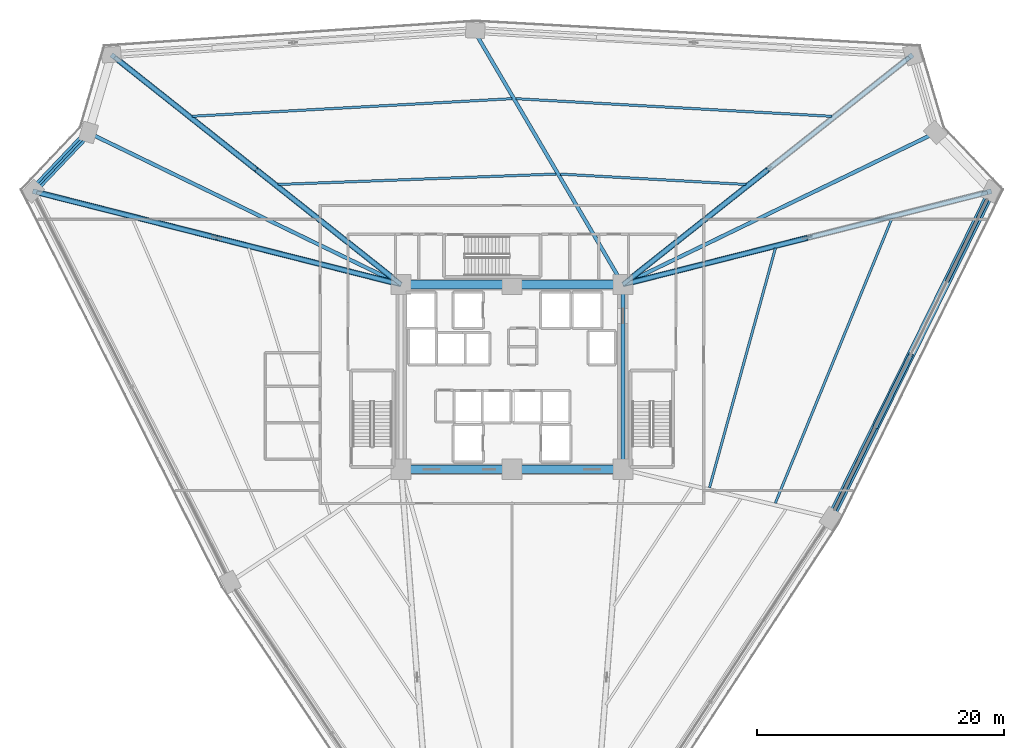
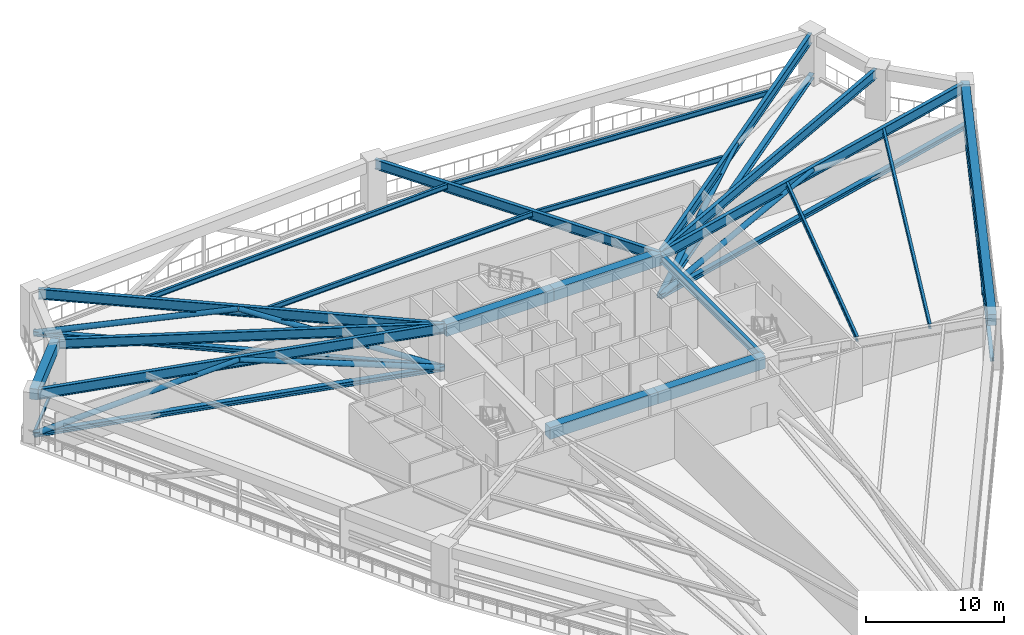
# One storey, part 7 of 25: 20 beams, 13 members.
"""IFC4 building model written with IfcOpenShell, lengths in metres."""

from ifc_helpers import new_model, si_unit, direction, frame, origin, origin_2d, place, context, subcontext, project, spatial, rectangle, hollow_rectangle, hollow_circle, i_section, extrude, source, transform, mapped, material, material_profile, profile_set, type_object, element, save


model = new_model("IFC4")

# Units and contexts
model_context = context("Model", 3, precision=1e-05, world=origin(), true_north=direction((0.0, 1.0)))
body_context = subcontext(model_context, "Body", "Model", "MODEL_VIEW")
ifc_project = project(units=[si_unit("LENGTHUNIT", "METRE"), si_unit("AREAUNIT", "SQUARE_METRE"), si_unit("VOLUMEUNIT", "CUBIC_METRE"), si_unit("PLANEANGLEUNIT", "RADIAN"), si_unit("MASSUNIT", "GRAM", prefix="KILO")], contexts=[model_context])

# Site, building, storey
site_placement = place(None, origin())
site = spatial("IfcSite", under=ifc_project, at=site_placement, CompositionType="ELEMENT")
building_placement = place(site_placement, origin())
building = spatial("IfcBuilding", under=site, at=building_placement, Name="Liaohun Quay Tower", CompositionType="ELEMENT")
storey_placement = place(building_placement, frame((0.0, 0.0, 47.25)))
storey = spatial("IfcBuildingStorey", under=building, at=storey_placement, Name="L12", CompositionType="ELEMENT", Elevation=47.25)

# Beams
ifc_material_1 = material(Name="Concrete C60", Category="concrete")
ifc_material_profile_1 = material_profile(ifc_material_1, rectangle(XDim=0.699951171875, YDim=1.050048828125, at=origin_2d()), Name="RC700x1050")
ifc_profile_set_1 = profile_set([ifc_material_profile_1], Name="Concrete C60")
beam_type_1 = type_object("IfcBeamType", Name="BM-CPL-1", PredefinedType="LINTEL", material=ifc_profile_set_1)
shared_shape_1 = source(origin(), body_context, "Body", "SweptSolid", [
    extrude(rectangle(XDim=0.699951171875, YDim=1.050048828125, at=origin_2d()), origin(), (0.0, 0.0, 1.0), 9.0),
])
for number, where, z_axis, x_axis, name in (
    (1, (51.0, 46.5, 3.794921875), (1.0, 0.0, 0.0), (0.0, 1.0, 0.0), "L12 Core Coupling/Ring Beam CC1-CC2"),
    (2, (60.0, 46.5, 3.794921875), (1.0, 0.0, 0.0), (0.0, 1.0, 0.0), "L12 Core Coupling/Ring Beam CC2-CC3"),
    (3, (69.0, 61.5, 3.794921875), (-1.0, 0.0, 0.0), (0.0, -1.0, 0.0), "L12 Core Coupling/Ring Beam CC4-CC5"),
    (4, (60.0, 61.5, 3.794921875), (-1.0, 0.0, 0.0), (0.0, -1.0, 0.0), "L12 Core Coupling/Ring Beam CC5-CC6"),
):
    element("IfcBeam", number, at=place(storey_placement, frame(where, z_axis=z_axis, x_axis=x_axis)), inside=storey, type_object=beam_type_1, Name=name, PredefinedType="LINTEL", context=body_context, shape_type="MappedRepresentation", body=[
        mapped(shared_shape_1, transform((0.0, 0.0, 0.0), x_axis=(1.0, 0.0, 0.0), y_axis=(0.0, 1.0, 0.0), z_axis=(0.0, 0.0, 1.0), scale=1.0)),
    ])
ifc_material_2 = material(Name="Steel Q355D", Category="steel")
ifc_material_profile_2 = material_profile(ifc_material_2, i_section(OverallWidth=0.300048828125, OverallDepth=0.800048828125, WebThickness=0.013916015625, FlangeThickness=0.02587890625, at=origin_2d()), Name="HN800x300x14x26")
ifc_profile_set_2 = profile_set([ifc_material_profile_2], Name="Steel Q355D")
beam_type_2 = type_object("IfcBeamType", Name="BM-RAD-M1", PredefinedType="BEAM", material=ifc_profile_set_2)
shared_shape_2 = source(origin(), body_context, "Body", "SweptSolid", [
    extrude(i_section(OverallWidth=0.300048828125, OverallDepth=0.800048828125, WebThickness=0.013916015625, FlangeThickness=0.02587890625, at=origin_2d()), origin(), (0.0, 0.0, 1.0), 15.0),
])
beam_1_placement = place(storey_placement, frame((69.0, 46.5, 3.919921875), z_axis=(0.0, 1.0, 0.0), x_axis=(-1.0, 0.0, 0.0)))
element("IfcBeam", 5, at=beam_1_placement, inside=storey, type_object=beam_type_2, Name="L12 Core Coupling/Ring Beam CC3-CC4", PredefinedType="BEAM", context=body_context, shape_type="MappedRepresentation", body=[
    mapped(shared_shape_2, transform((0.0, 0.0, 0.0), x_axis=(1.0, 0.0, 0.0), y_axis=(0.0, 1.0, 0.0), z_axis=(0.0, 0.0, 1.0), scale=1.0)),
])
ifc_material_3 = material(Name="Precast concrete C55", Category="concrete")
ifc_material_profile_3 = material_profile(ifc_material_3, rectangle(XDim=0.64990234375, YDim=0.949951171875, at=origin_2d()), Name="RC650x950")
ifc_profile_set_3 = profile_set([ifc_material_profile_3], Name="Precast concrete C55")
beam_type_3 = type_object("IfcBeamType", Name="BM-SPD-Z1", PredefinedType="SPANDREL", material=ifc_profile_set_3)
shared_shape_3 = source(origin(), body_context, "Body", "SweptSolid", [
    extrude(rectangle(XDim=0.64990234375, YDim=0.949951171875, at=origin_2d()), origin(), (0.0, 0.0, 1.0), 6.5703125),
])
beam_2_placement = place(storey_placement, frame((21.111083984375, 69.077880859375, 3.844970703125), z_axis=(0.689293220121, 0.724482475078, 0.0), x_axis=(-0.724482475078, 0.689293220121, 0.0)))
element("IfcBeam", 6, at=beam_2_placement, inside=storey, type_object=beam_type_3, Name="L12 Precast Spandrel Beam PC03-PC04", PredefinedType="SPANDREL", context=body_context, shape_type="MappedRepresentation", body=[
    mapped(shared_shape_3, transform((0.0, 0.0, 0.0), x_axis=(1.0, 0.0, 0.0), y_axis=(0.0, 1.0, 0.0), z_axis=(0.0, 0.0, 1.0), scale=1.0)),
])
shared_shape_4 = source(origin(), body_context, "Body", "SweptSolid", [
    extrude(rectangle(XDim=0.64990234375, YDim=0.949951171875, at=origin_2d()), origin(), (0.0, 0.0, 1.0), 29.58740234375),
])
beam_3_placement = place(storey_placement, frame((98.89404296875, 69.072998046875, 3.844970703125), z_axis=(-0.44140505038, -0.897307963577, 0.0), x_axis=(0.897307963577, -0.44140505038, 0.0)))
element("IfcBeam", 7, at=beam_3_placement, inside=storey, type_object=beam_type_3, Name="L12 Precast Spandrel Beam PC09-PC10", PredefinedType="SPANDREL", context=body_context, shape_type="MappedRepresentation", body=[
    mapped(shared_shape_4, transform((0.0, 0.0, 0.0), x_axis=(1.0, 0.0, 0.0), y_axis=(0.0, 1.0, 0.0), z_axis=(0.0, 0.0, 1.0), scale=1.0)),
])
ifc_material_4 = material(Name="Steel Q420D", Category="steel")
ifc_material_profile_4 = material_profile(ifc_material_4, i_section(OverallWidth=0.300048828125, OverallDepth=0.89990234375, WebThickness=0.01611328125, FlangeThickness=0.028076171875, at=origin_2d()), Name="HN900x300x16x28")
ifc_profile_set_4 = profile_set([ifc_material_profile_4], Name="Steel Q420D")
beam_type_4 = type_object("IfcBeamType", Name="BM-RAD-H1", PredefinedType="BEAM", material=ifc_profile_set_4)
shared_shape_5 = source(origin(), body_context, "Body", "SweptSolid", [
    extrude(i_section(OverallWidth=0.300048828125, OverallDepth=0.89990234375, WebThickness=0.01611328125, FlangeThickness=0.028076171875, at=origin_2d()), origin(), (0.0, 0.0, 1.0), 30.4921875),
])
beam_4_placement = place(storey_placement, frame((51.0, 61.5, 3.8701171875), z_axis=(-0.969651653531, 0.244490635412, 0.0), x_axis=(-0.244490635412, -0.969651653531, 0.0)))
element("IfcBeam", 8, at=beam_4_placement, inside=storey, type_object=beam_type_4, Name="L12 Radial Primary Girder CC6-PC03", PredefinedType="BEAM", context=body_context, shape_type="MappedRepresentation", body=[
    mapped(shared_shape_5, transform((0.0, 0.0, 0.0), x_axis=(1.0, 0.0, 0.0), y_axis=(0.0, 1.0, 0.0), z_axis=(0.0, 0.0, 1.0), scale=1.0)),
])
ifc_material_profile_5 = material_profile(ifc_material_2, i_section(OverallWidth=0.300048828125, OverallDepth=0.85009765625, WebThickness=0.01611328125, FlangeThickness=0.028076171875, at=origin_2d()), Name="HN850x300x16x28")
ifc_profile_set_5 = profile_set([ifc_material_profile_5], Name="Steel Q355D")
beam_type_5 = type_object("IfcBeamType", Name="BM-RAD-H2", PredefinedType="BEAM", material=ifc_profile_set_5)
shared_shape_6 = source(origin(), body_context, "Body", "SweptSolid", [
    extrude(i_section(OverallWidth=0.300048828125, OverallDepth=0.85009765625, WebThickness=0.01611328125, FlangeThickness=0.028076171875, at=origin_2d()), origin(), (0.0, 0.0, 1.0), 27.875732421875),
])
for number, where, z_axis, x_axis, name in (
    (9, (51.0, 61.5, 3.89501953125), (-0.899594681296, 0.436725782825, 0.0), (-0.436725782825, -0.899594681296, 0.0), "L12 Radial Primary Girder CC6-PC04"),
    (10, (69.0, 61.5, 3.89501953125), (0.899594681296, 0.436725782825, 0.0), (-0.436725782825, 0.899594681296, 0.0), "L12 Radial Primary Girder CC4-PC08"),
):
    element("IfcBeam", number, at=place(storey_placement, frame(where, z_axis=z_axis, x_axis=x_axis)), inside=storey, type_object=beam_type_5, Name=name, PredefinedType="BEAM", context=body_context, shape_type="MappedRepresentation", body=[
        mapped(shared_shape_6, transform((0.0, 0.0, 0.0), x_axis=(1.0, 0.0, 0.0), y_axis=(0.0, 1.0, 0.0), z_axis=(0.0, 0.0, 1.0), scale=1.0)),
    ])
shared_shape_7 = source(origin(), body_context, "Body", "SweptSolid", [
    extrude(i_section(OverallWidth=0.300048828125, OverallDepth=0.89990234375, WebThickness=0.01611328125, FlangeThickness=0.028076171875, at=origin_2d()), origin(), (0.0, 0.0, 1.0), 29.654541015625),
])
beam_5_placement = place(storey_placement, frame((51.0, 61.5, 3.8701171875), z_axis=(-0.783450821948, 0.621453787171, 0.0), x_axis=(-0.621453787171, -0.783450821948, 0.0)))
element("IfcBeam", 11, at=beam_5_placement, inside=storey, type_object=beam_type_4, Name="L12 Radial Primary Girder CC6-PC05", PredefinedType="BEAM", context=body_context, shape_type="MappedRepresentation", body=[
    mapped(shared_shape_7, transform((0.0, 0.0, 0.0), x_axis=(1.0, 0.0, 0.0), y_axis=(0.0, 1.0, 0.0), z_axis=(0.0, 0.0, 1.0), scale=1.0)),
])
shared_shape_8 = source(origin(), body_context, "Body", "SweptSolid", [
    extrude(i_section(OverallWidth=0.300048828125, OverallDepth=0.85009765625, WebThickness=0.01611328125, FlangeThickness=0.028076171875, at=origin_2d()), origin(), (0.0, 0.0, 1.0), 23.635009765625),
])
beam_6_placement = place(storey_placement, frame((69.0, 61.5, 3.89501953125), z_axis=(-0.505781796339, 0.862661448363, 0.0), x_axis=(-0.862661448363, -0.505781796339, 0.0)))
element("IfcBeam", 12, at=beam_6_placement, inside=storey, type_object=beam_type_5, Name="L12 Radial Primary Girder CC4-PC06", PredefinedType="BEAM", context=body_context, shape_type="MappedRepresentation", body=[
    mapped(shared_shape_8, transform((0.0, 0.0, 0.0), x_axis=(1.0, 0.0, 0.0), y_axis=(0.0, 1.0, 0.0), z_axis=(0.0, 0.0, 1.0), scale=1.0)),
])
shared_shape_9 = source(origin(), body_context, "Body", "SweptSolid", [
    extrude(i_section(OverallWidth=0.300048828125, OverallDepth=0.89990234375, WebThickness=0.01611328125, FlangeThickness=0.028076171875, at=origin_2d()), origin(), (0.0, 0.0, 1.0), 29.652587890625),
])
beam_7_placement = place(storey_placement, frame((69.0, 61.5, 3.8701171875), z_axis=(0.783575631278, 0.621296410796, 0.0), x_axis=(-0.621296410796, 0.783575631278, 0.0)))
element("IfcBeam", 13, at=beam_7_placement, inside=storey, type_object=beam_type_4, Name="L12 Radial Primary Girder CC4-PC07", PredefinedType="BEAM", context=body_context, shape_type="MappedRepresentation", body=[
    mapped(shared_shape_9, transform((0.0, 0.0, 0.0), x_axis=(1.0, 0.0, 0.0), y_axis=(0.0, 1.0, 0.0), z_axis=(0.0, 0.0, 1.0), scale=1.0)),
])
shared_shape_10 = source(origin(), body_context, "Body", "SweptSolid", [
    extrude(i_section(OverallWidth=0.300048828125, OverallDepth=0.89990234375, WebThickness=0.01611328125, FlangeThickness=0.028076171875, at=origin_2d()), origin(), (0.0, 0.0, 1.0), 30.49609375),
])
beam_8_placement = place(storey_placement, frame((69.0, 61.5, 3.8701171875), z_axis=(0.96970153881, 0.244292704821, 0.0), x_axis=(-0.244292704821, 0.96970153881, 0.0)))
element("IfcBeam", 14, at=beam_8_placement, inside=storey, type_object=beam_type_4, Name="L12 Radial Primary Girder CC4-PC09", PredefinedType="BEAM", context=body_context, shape_type="MappedRepresentation", body=[
    mapped(shared_shape_10, transform((0.0, 0.0, 0.0), x_axis=(1.0, 0.0, 0.0), y_axis=(0.0, 1.0, 0.0), z_axis=(0.0, 0.0, 1.0), scale=1.0)),
])
ifc_material_profile_6 = material_profile(ifc_material_2, i_section(OverallWidth=0.199951171875, OverallDepth=0.449951171875, WebThickness=0.009033203125, FlangeThickness=0.013916015625, at=origin_2d()), Name="HN450x200x9x14")
ifc_profile_set_6 = profile_set([ifc_material_profile_6], Name="Steel Q355D")
beam_type_6 = type_object("IfcBeamType", Name="BM-SEC-J1", PredefinedType="JOIST", material=ifc_profile_set_6)
shared_shape_11 = source(origin(), body_context, "Body", "SweptSolid", [
    extrude(i_section(OverallWidth=0.199951171875, OverallDepth=0.449951171875, WebThickness=0.009033203125, FlangeThickness=0.013916015625, at=origin_2d()), origin(), (0.0, 0.0, 1.0), 22.577880859375),
])
beam_9_placement = place(storey_placement, frame((41.008056640625, 69.616943359375, 4.094970703125), z_axis=(0.999294179764, 0.037565173897, 0.0), x_axis=(-0.037565173897, 0.999294179764, 0.0)))
element("IfcBeam", 15, at=beam_9_placement, inside=storey, type_object=beam_type_6, Name="L12 Wing Secondary Floor Joist SJ-06", PredefinedType="JOIST", context=body_context, shape_type="MappedRepresentation", body=[
    mapped(shared_shape_11, transform((0.0, 0.0, 0.0), x_axis=(1.0, 0.0, 0.0), y_axis=(0.0, 1.0, 0.0), z_axis=(0.0, 0.0, 1.0), scale=1.0)),
])
shared_shape_12 = source(origin(), body_context, "Body", "SweptSolid", [
    extrude(i_section(OverallWidth=0.199951171875, OverallDepth=0.449951171875, WebThickness=0.009033203125, FlangeThickness=0.013916015625, at=origin_2d()), origin(), (0.0, 0.0, 1.0), 25.992431640625),
])
beam_10_placement = place(storey_placement, frame((34.032958984375, 75.14990234375, 4.094970703125), z_axis=(0.998487171014, 0.054985173645, 0.0), x_axis=(-0.054985173645, 0.998487171014, 0.0)))
element("IfcBeam", 16, at=beam_10_placement, inside=storey, type_object=beam_type_6, Name="L12 Wing Secondary Floor Joist SJ-07", PredefinedType="JOIST", context=body_context, shape_type="MappedRepresentation", body=[
    mapped(shared_shape_12, transform((0.0, 0.0, 0.0), x_axis=(1.0, 0.0, 0.0), y_axis=(0.0, 1.0, 0.0), z_axis=(0.0, 0.0, 1.0), scale=1.0)),
])
shared_shape_13 = source(origin(), body_context, "Body", "SweptSolid", [
    extrude(i_section(OverallWidth=0.199951171875, OverallDepth=0.449951171875, WebThickness=0.009033203125, FlangeThickness=0.013916015625, at=origin_2d()), origin(), (0.0, 0.0, 1.0), 15.1015625),
])
beam_11_placement = place(storey_placement, frame((63.919921875, 70.4609375, 4.094970703125), z_axis=(0.998444294289, -0.055758328546, 0.0), x_axis=(0.055758328546, 0.998444294289, 0.0)))
element("IfcBeam", 17, at=beam_11_placement, inside=storey, type_object=beam_type_6, Name="L12 Wing Secondary Floor Joist SJ-08", PredefinedType="JOIST", context=body_context, shape_type="MappedRepresentation", body=[
    mapped(shared_shape_13, transform((0.0, 0.0, 0.0), x_axis=(1.0, 0.0, 0.0), y_axis=(0.0, 1.0, 0.0), z_axis=(0.0, 0.0, 1.0), scale=1.0)),
])
shared_shape_14 = source(origin(), body_context, "Body", "SweptSolid", [
    extrude(i_section(OverallWidth=0.199951171875, OverallDepth=0.449951171875, WebThickness=0.009033203125, FlangeThickness=0.013916015625, at=origin_2d()), origin(), (0.0, 0.0, 1.0), 25.674072265625),
])
beam_12_placement = place(storey_placement, frame((60.333984375, 76.577880859375, 4.094970703125), z_axis=(0.998443542047, -0.055771797043, 0.0), x_axis=(0.055771797043, 0.998443542047, 0.0)))
element("IfcBeam", 18, at=beam_12_placement, inside=storey, type_object=beam_type_6, Name="L12 Wing Secondary Floor Joist SJ-09", PredefinedType="JOIST", context=body_context, shape_type="MappedRepresentation", body=[
    mapped(shared_shape_14, transform((0.0, 0.0, 0.0), x_axis=(1.0, 0.0, 0.0), y_axis=(0.0, 1.0, 0.0), z_axis=(0.0, 0.0, 1.0), scale=1.0)),
])
shared_shape_15 = source(origin(), body_context, "Body", "SweptSolid", [
    extrude(i_section(OverallWidth=0.199951171875, OverallDepth=0.449951171875, WebThickness=0.009033203125, FlangeThickness=0.013916015625, at=origin_2d()), origin(), (0.0, 0.0, 1.0), 20.172607421875),
])
beam_13_placement = place(storey_placement, frame((81.375, 64.462890625, 4.094970703125), z_axis=(-0.265264216074, -0.96417575974, 0.0), x_axis=(0.96417575974, -0.265264216074, 0.0)))
element("IfcBeam", 19, at=beam_13_placement, inside=storey, type_object=beam_type_6, Name="L12 Wing Secondary Floor Joist SJ-10", PredefinedType="JOIST", context=body_context, shape_type="MappedRepresentation", body=[
    mapped(shared_shape_15, transform((0.0, 0.0, 0.0), x_axis=(1.0, 0.0, 0.0), y_axis=(0.0, 1.0, 0.0), z_axis=(0.0, 0.0, 1.0), scale=1.0)),
])
shared_shape_16 = source(origin(), body_context, "Body", "SweptSolid", [
    extrude(i_section(OverallWidth=0.199951171875, OverallDepth=0.449951171875, WebThickness=0.009033203125, FlangeThickness=0.013916015625, at=origin_2d()), origin(), (0.0, 0.0, 1.0), 24.935791015625),
])
beam_14_placement = place(storey_placement, frame((90.81298828125, 66.841064453125, 4.094970703125), z_axis=(-0.378932475666, -0.925424323695, 0.0), x_axis=(0.925424323695, -0.378932475666, 0.0)))
element("IfcBeam", 20, at=beam_14_placement, inside=storey, type_object=beam_type_6, Name="L12 Wing Secondary Floor Joist SJ-11", PredefinedType="JOIST", context=body_context, shape_type="MappedRepresentation", body=[
    mapped(shared_shape_16, transform((0.0, 0.0, 0.0), x_axis=(1.0, 0.0, 0.0), y_axis=(0.0, 1.0, 0.0), z_axis=(0.0, 0.0, 1.0), scale=1.0)),
])

# Members
ifc_material_profile_7 = material_profile(ifc_material_4, i_section(OverallWidth=0.405029296875, OverallDepth=0.4140625, WebThickness=0.01806640625, FlangeThickness=0.028076171875, at=origin_2d()), Name="HW414x405x18x28")
ifc_profile_set_7 = profile_set([ifc_material_profile_7], Name="Steel Q420D")
member_type_1 = type_object("IfcMemberType", Name="MEM-OUT-CHD", PredefinedType="CHORD", material=ifc_profile_set_7)
shared_shape_17 = source(origin(), body_context, "Body", "SweptSolid", [
    extrude(i_section(OverallWidth=0.405029296875, OverallDepth=0.4140625, WebThickness=0.01806640625, FlangeThickness=0.028076171875, at=origin_2d()), origin(), (0.0, 0.0, 1.0), 30.83447265625),
])
member_1_placement = place(storey_placement, frame((51.0, 61.5, 0.35009765625), z_axis=(-0.969330926687, 0.245759139338, 0.0), x_axis=(-0.245759139338, -0.969330926687, 0.0)))
element("IfcMember", 21, at=member_1_placement, inside=storey, type_object=member_type_1, Name="L12 Outrigger Bottom Chord OC-02", PredefinedType="CHORD", context=body_context, shape_type="MappedRepresentation", body=[
    mapped(shared_shape_17, transform((0.0, 0.0, 0.0), x_axis=(1.0, 0.0, 0.0), y_axis=(0.0, 1.0, 0.0), z_axis=(0.0, 0.0, 1.0), scale=1.0)),
])
ifc_material_profile_8 = material_profile(ifc_material_4, hollow_circle(Radius=0.228515625, WallThickness=0.02001953125, at=origin_2d()), Name="CHS457x20")
ifc_profile_set_8 = profile_set([ifc_material_profile_8], Name="Steel Q420D")
member_type_2 = type_object("IfcMemberType", Name="MEM-OUT-DG1", PredefinedType="BRACE", material=ifc_profile_set_8)
shared_shape_18 = source(origin(), body_context, "Body", "SweptSolid", [
    extrude(hollow_circle(Radius=0.228515625, WallThickness=0.02001953125, at=origin_2d()), origin(), (0.0, 0.0, 1.0), 15.84765625),
])
member_2_placement = place(storey_placement, frame((51.0, 61.5, 0.35009765625), z_axis=(-0.942978730671, 0.239091501528, 0.231573675964), x_axis=(-0.245772237679, -0.969327605707, 0.0)))
element("IfcMember", 22, at=member_2_placement, inside=storey, type_object=member_type_2, Name="L12 Outrigger Diagonal OD-02A", PredefinedType="BRACE", context=body_context, shape_type="MappedRepresentation", body=[
    mapped(shared_shape_18, transform((0.0, 0.0, 0.0), x_axis=(1.0, 0.0, 0.0), y_axis=(0.0, 1.0, 0.0), z_axis=(0.0, 0.0, 1.0), scale=1.0)),
])
shared_shape_19 = source(origin(), body_context, "Body", "SweptSolid", [
    extrude(hollow_circle(Radius=0.228515625, WallThickness=0.02001953125, at=origin_2d()), origin(), (0.0, 0.0, 1.0), 15.848388671875),
])
member_3_placement = place(storey_placement, frame((36.055908203125, 65.2890625, 4.02001953125), z_axis=(-0.942987323567, 0.239066557886, -0.231564437022), x_axis=(-0.245746041504, -0.96933424735, 0.0)))
element("IfcMember", 23, at=member_3_placement, inside=storey, type_object=member_type_2, Name="L12 Outrigger Diagonal OD-02B", PredefinedType="BRACE", context=body_context, shape_type="MappedRepresentation", body=[
    mapped(shared_shape_19, transform((0.0, 0.0, 0.0), x_axis=(1.0, 0.0, 0.0), y_axis=(0.0, 1.0, 0.0), z_axis=(0.0, 0.0, 1.0), scale=1.0)),
])
shared_shape_20 = source(origin(), body_context, "Body", "SweptSolid", [
    extrude(i_section(OverallWidth=0.405029296875, OverallDepth=0.4140625, WebThickness=0.01806640625, FlangeThickness=0.028076171875, at=origin_2d()), origin(), (0.0, 0.0, 1.0), 29.998779296875),
])
member_4_placement = place(storey_placement, frame((51.0, 61.5, 0.35009765625), z_axis=(-0.783366770609, 0.621559733819, 0.0), x_axis=(-0.621559733819, -0.783366770609, 0.0)))
element("IfcMember", 24, at=member_4_placement, inside=storey, type_object=member_type_1, Name="L12 Outrigger Bottom Chord OC-03", PredefinedType="CHORD", context=body_context, shape_type="MappedRepresentation", body=[
    mapped(shared_shape_20, transform((0.0, 0.0, 0.0), x_axis=(1.0, 0.0, 0.0), y_axis=(0.0, 1.0, 0.0), z_axis=(0.0, 0.0, 1.0), scale=1.0)),
])
shared_shape_21 = source(origin(), body_context, "Body", "SweptSolid", [
    extrude(hollow_circle(Radius=0.228515625, WallThickness=0.02001953125, at=origin_2d()), origin(), (0.0, 0.0, 1.0), 15.44189453125),
])
for number, where, z_axis, x_axis, name in (
    (25, (51.0, 61.5, 0.35009765625), (-0.760921762852, 0.603750817778, 0.237661567886), (-0.621559733819, -0.783366770609, 0.0), "L12 Outrigger Diagonal OD-03A"),
    (26, (39.25, 70.822998046875, 4.02001953125), (-0.760921762852, 0.603750817778, -0.237661567886), (-0.621559733819, -0.783366770609, 0.0), "L12 Outrigger Diagonal OD-03B"),
):
    element("IfcMember", number, at=place(storey_placement, frame(where, z_axis=z_axis, x_axis=x_axis)), inside=storey, type_object=member_type_2, Name=name, PredefinedType="BRACE", context=body_context, shape_type="MappedRepresentation", body=[
        mapped(shared_shape_21, transform((0.0, 0.0, 0.0), x_axis=(1.0, 0.0, 0.0), y_axis=(0.0, 1.0, 0.0), z_axis=(0.0, 0.0, 1.0), scale=1.0)),
    ])
shared_shape_22 = source(origin(), body_context, "Body", "SweptSolid", [
    extrude(i_section(OverallWidth=0.405029296875, OverallDepth=0.4140625, WebThickness=0.01806640625, FlangeThickness=0.028076171875, at=origin_2d()), origin(), (0.0, 0.0, 1.0), 29.996337890625),
])
member_5_placement = place(storey_placement, frame((69.0, 61.5, 0.35009765625), z_axis=(0.783490983692, 0.621403152932, 0.0), x_axis=(-0.621403152932, 0.783490983692, 0.0)))
element("IfcMember", 27, at=member_5_placement, inside=storey, type_object=member_type_1, Name="L12 Outrigger Bottom Chord OC-04", PredefinedType="CHORD", context=body_context, shape_type="MappedRepresentation", body=[
    mapped(shared_shape_22, transform((0.0, 0.0, 0.0), x_axis=(1.0, 0.0, 0.0), y_axis=(0.0, 1.0, 0.0), z_axis=(0.0, 0.0, 1.0), scale=1.0)),
])
shared_shape_23 = source(origin(), body_context, "Body", "SweptSolid", [
    extrude(hollow_circle(Radius=0.228515625, WallThickness=0.02001953125, at=origin_2d()), origin(), (0.0, 0.0, 1.0), 15.440673828125),
])
member_6_placement = place(storey_placement, frame((69.0, 61.5, 0.35009765625), z_axis=(0.761035542213, 0.603601176431, 0.237677351254), x_axis=(-0.621408149075, 0.78348702112, 0.0)))
element("IfcMember", 28, at=member_6_placement, inside=storey, type_object=member_type_2, Name="L12 Outrigger Diagonal OD-04A", PredefinedType="BRACE", context=body_context, shape_type="MappedRepresentation", body=[
    mapped(shared_shape_23, transform((0.0, 0.0, 0.0), x_axis=(1.0, 0.0, 0.0), y_axis=(0.0, 1.0, 0.0), z_axis=(0.0, 0.0, 1.0), scale=1.0)),
])
shared_shape_24 = source(origin(), body_context, "Body", "SweptSolid", [
    extrude(i_section(OverallWidth=0.405029296875, OverallDepth=0.4140625, WebThickness=0.01806640625, FlangeThickness=0.028076171875, at=origin_2d()), origin(), (0.0, 0.0, 1.0), 30.83837890625),
])
member_7_placement = place(storey_placement, frame((69.0, 61.5, 0.35009765625), z_axis=(0.969378668663, 0.245570757095, 0.0), x_axis=(-0.245570757095, 0.969378668663, 0.0)))
element("IfcMember", 29, at=member_7_placement, inside=storey, type_object=member_type_1, Name="L12 Outrigger Bottom Chord OC-05", PredefinedType="CHORD", context=body_context, shape_type="MappedRepresentation", body=[
    mapped(shared_shape_24, transform((0.0, 0.0, 0.0), x_axis=(1.0, 0.0, 0.0), y_axis=(0.0, 1.0, 0.0), z_axis=(0.0, 0.0, 1.0), scale=1.0)),
])
shared_shape_25 = source(origin(), body_context, "Body", "SweptSolid", [
    extrude(hollow_circle(Radius=0.228515625, WallThickness=0.02001953125, at=origin_2d()), origin(), (0.0, 0.0, 1.0), 15.849853515625),
])
member_8_placement = place(storey_placement, frame((69.0, 61.5, 0.35009765625), z_axis=(0.943044328744, 0.238861022914, 0.231544392625), x_axis=(-0.245533559736, 0.969388091037, 0.0)))
element("IfcMember", 30, at=member_8_placement, inside=storey, type_object=member_type_2, Name="L12 Outrigger Diagonal OD-05A", PredefinedType="BRACE", context=body_context, shape_type="MappedRepresentation", body=[
    mapped(shared_shape_25, transform((0.0, 0.0, 0.0), x_axis=(1.0, 0.0, 0.0), y_axis=(0.0, 1.0, 0.0), z_axis=(0.0, 0.0, 1.0), scale=1.0)),
])
ifc_material_profile_9 = material_profile(ifc_material_2, i_section(OverallWidth=0.300048828125, OverallDepth=0.300048828125, WebThickness=0.010009765625, FlangeThickness=0.014892578125, at=origin_2d()), Name="HW300x300x10x15")
ifc_profile_set_9 = profile_set([ifc_material_profile_9], Name="Steel Q355D")
member_type_3 = type_object("IfcMemberType", Name="MEM-BLT-CHD", PredefinedType="CHORD", material=ifc_profile_set_9)
shared_shape_26 = source(origin(), body_context, "Body", "SweptSolid", [
    extrude(i_section(OverallWidth=0.300048828125, OverallDepth=0.300048828125, WebThickness=0.010009765625, FlangeThickness=0.014892578125, at=origin_2d()), origin(), (0.0, 0.0, 1.0), 29.58740234375),
])
member_9_placement = place(storey_placement, frame((98.89404296875, 69.072998046875, 0.35009765625), z_axis=(-0.44140505038, -0.897307963577, 0.0), x_axis=(0.897307963577, -0.44140505038, 0.0)))
element("IfcMember", 31, at=member_9_placement, inside=storey, type_object=member_type_3, Name="L12 Belt Truss Bottom Chord BC-1-05", PredefinedType="CHORD", context=body_context, shape_type="MappedRepresentation", body=[
    mapped(shared_shape_26, transform((0.0, 0.0, 0.0), x_axis=(1.0, 0.0, 0.0), y_axis=(0.0, 1.0, 0.0), z_axis=(0.0, 0.0, 1.0), scale=1.0)),
])
ifc_material_profile_10 = material_profile(ifc_material_4, hollow_rectangle(XDim=0.39990234375, YDim=0.39990234375, WallThickness=0.02001953125, at=origin_2d()), Name="SHS400x400x20")
ifc_profile_set_10 = profile_set([ifc_material_profile_10], Name="Steel Q420D")
member_type_4 = type_object("IfcMemberType", Name="MEM-BLT-DG1", PredefinedType="BRACE", material=ifc_profile_set_10)
shared_shape_27 = source(origin(), body_context, "Body", "SweptSolid", [
    extrude(hollow_rectangle(XDim=0.39990234375, YDim=0.39990234375, WallThickness=0.02001953125, at=origin_2d()), origin(), (0.0, 0.0, 1.0), 7.471923828125),
])
member_10_placement = place(storey_placement, frame((92.364013671875, 55.798095703125, 4.02001953125), z_axis=(-0.384513347733, -0.78160637246, -0.491162869062), x_axis=(0.897296871354, -0.441427598432, 0.0)))
element("IfcMember", 32, at=member_10_placement, inside=storey, type_object=member_type_4, Name="L12 Belt Truss Diagonal BD-05B", PredefinedType="BRACE", context=body_context, shape_type="MappedRepresentation", body=[
    mapped(shared_shape_27, transform((0.0, 0.0, 0.0), x_axis=(1.0, 0.0, 0.0), y_axis=(0.0, 1.0, 0.0), z_axis=(0.0, 0.0, 1.0), scale=1.0)),
])
ifc_material_profile_11 = material_profile(ifc_material_2, i_section(OverallWidth=0.199951171875, OverallDepth=0.199951171875, WebThickness=0.008056640625, FlangeThickness=0.011962890625, at=origin_2d()), Name="HW200x200x8x12")
ifc_profile_set_11 = profile_set([ifc_material_profile_11], Name="Steel Q355D")
member_type_5 = type_object("IfcMemberType", Name="MEM-HDR-TRM", PredefinedType="STUD", material=ifc_profile_set_11)
shared_shape_28 = source(origin(), body_context, "Body", "SweptSolid", [
    extrude(i_section(OverallWidth=0.199951171875, OverallDepth=0.199951171875, WebThickness=0.008056640625, FlangeThickness=0.011962890625, at=origin_2d()), origin(), (0.0, 0.0, 1.0), 6.5703125),
])
member_11_placement = place(storey_placement, frame((21.111083984375, 69.077880859375, 0.35009765625), z_axis=(0.689293220121, 0.724482475078, 0.0), x_axis=(-0.724482475078, 0.689293220121, 0.0)))
element("IfcMember", 33, at=member_11_placement, inside=storey, type_object=member_type_5, Name="L12 Refuge Notch Header Tie Stud HT-1-01", PredefinedType="STUD", context=body_context, shape_type="MappedRepresentation", body=[
    mapped(shared_shape_28, transform((0.0, 0.0, 0.0), x_axis=(1.0, 0.0, 0.0), y_axis=(0.0, 1.0, 0.0), z_axis=(0.0, 0.0, 1.0), scale=1.0)),
])

save(model, "model.ifc")
